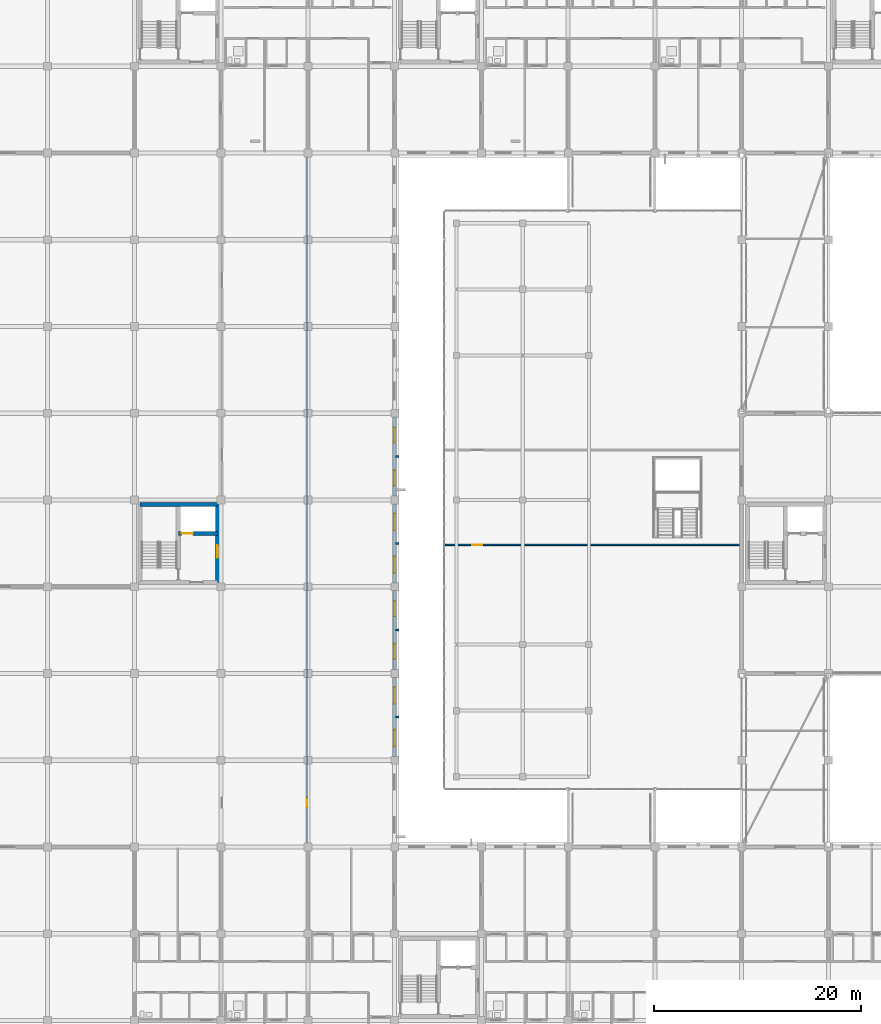
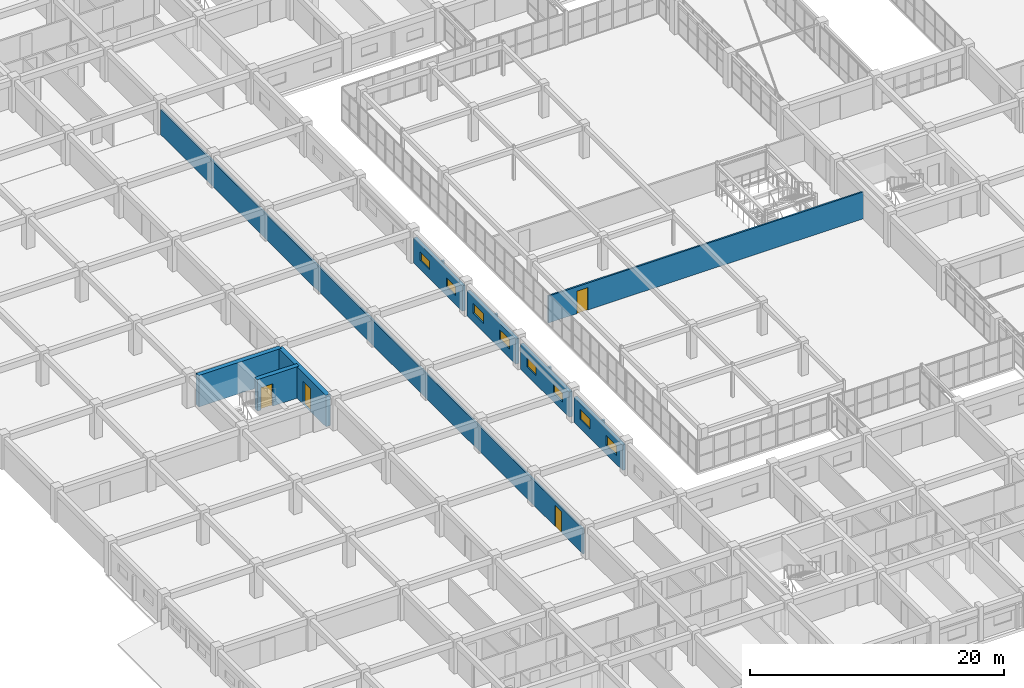
# One storey, part 166 of 200: 13 walls, 8 windows, 4 doors, 12 openings.
"""IFC4 building model written with IfcOpenShell, lengths in metres."""

from ifc_helpers import new_model, si_unit, direction, frame, frame_2d, origin, place, context, subcontext, project, spatial, rectangle, extrude, material, layer, layer_set, type_object, element, fill, save


model = new_model("IFC4")

# Units and contexts
model_context = context("Model", 3, precision=1e-05, world=origin(), true_north=direction((0.0, 1.0)))
body_context = subcontext(model_context, "Body", "Model", "MODEL_VIEW")
ifc_project = project(units=[si_unit("LENGTHUNIT", "METRE"), si_unit("AREAUNIT", "SQUARE_METRE"), si_unit("VOLUMEUNIT", "CUBIC_METRE"), si_unit("PLANEANGLEUNIT", "RADIAN"), si_unit("MASSUNIT", "GRAM", prefix="KILO")], contexts=[model_context])

# Site, building, storey
site_placement = place(None, origin())
site = spatial("IfcSite", under=ifc_project, at=site_placement, CompositionType="ELEMENT")
building_placement = place(site_placement, origin())
building = spatial("IfcBuilding", under=site, at=building_placement, Name="Trelvath General Hospital", CompositionType="ELEMENT")
storey_placement = place(building_placement, frame((0.0, 0.0, 4.800048828125)))
storey = spatial("IfcBuildingStorey", under=building, at=storey_placement, Name="L01", CompositionType="ELEMENT", Elevation=4.800048828125)

# Walls
ifc_material_1 = material(Name="Precast concrete C40/50", Category="concrete")
ifc_layer_1 = layer(ifc_material_1, 0.199951171875)
ifc_layer_set_1 = layer_set([ifc_layer_1], Name="Precast concrete C40/50")
wall_type_1 = type_object("IfcWallType", Name="BriseSoleilRib 200", PredefinedType="ELEMENTEDWALL", material=ifc_layer_set_1)
for number, where, z_axis, x_axis, name in (
    (1, (42.074951171875, 37.800048828125, 0.0), (0.0, 0.0, 1.0), (1.0, 0.0, 0.0), "Precast Concrete Brise-Soleil Rib Fin L01-92"),
    (2, (42.074951171875, 46.199951171875, 0.0), (0.0, 0.0, 1.0), (1.0, 0.0, 0.0), "Precast Concrete Brise-Soleil Rib Fin L01-93"),
    (3, (42.074951171875, 54.60009765625, 0.0), (0.0, 0.0, 1.0), (1.0, 0.0, 0.0), "Precast Concrete Brise-Soleil Rib Fin L01-94"),
    (4, (42.074951171875, 63.0, 0.0), (0.0, 0.0, 1.0), (1.0, 0.0, 0.0), "Precast Concrete Brise-Soleil Rib Fin L01-95"),
):
    element("IfcWall", number, at=place(storey_placement, frame(where, z_axis=z_axis, x_axis=x_axis)), inside=storey, type_object=wall_type_1, Name=name, PredefinedType="ELEMENTEDWALL", context=body_context, shape_type="SweptSolid", body=[
        extrude(rectangle(XDim=0.340087890625, YDim=0.199951171875, at=frame_2d((0.169921875, 0.0))), origin(), (0.0, 0.0, 1.0), 2.39990234375),
    ])

# Wall, opening, door
ifc_material_2 = material(Name="Gypsum acoustic steel-stud partition", Category="steel")
ifc_layer_2 = layer(ifc_material_2, 0.14990234375)
ifc_layer_set_2 = layer_set([ifc_layer_2], Name="Gypsum acoustic steel-stud partition")
wall_type_2 = type_object("IfcWallType", Name="ClinicalPartition 150", PredefinedType="PARTITIONING", material=ifc_layer_set_2)
wall_1_placement = place(storey_placement, frame((33.5, 25.60009765625, 0.0), z_axis=(0.0, 0.0, 1.0), x_axis=(0.0, 1.0, 0.0)))
wall_1 = element("IfcWall", 5, at=wall_1_placement, inside=storey, type_object=wall_type_2, Name="Fan Room Partition L01-668", PredefinedType="PARTITIONING", context=body_context, shape_type="SweptSolid", body=[
    extrude(rectangle(XDim=66.39990234375, YDim=0.14990234375, at=frame_2d((33.199951171875, 0.0))), origin(), (0.0, 0.0, 1.0), 2.39990234375),
])
opening_1_placement = place(wall_1_placement, frame((3.39990234375, 0.0, 0.0)))
opening_1 = element("IfcOpeningElement", 6, at=opening_1_placement, cuts=wall_1, Name="Opening D-1-0618", PredefinedType="OPENING", context=body_context, shape_type="SweptSolid", body=[
    extrude(rectangle(XDim=0.97998046875, YDim=2.050048828125, at=frame_2d((0.489990234375, 1.02490234375))), frame((0.0, 0.0849609375, 0.0), z_axis=(0.0, -1.0, 0.0), x_axis=(1.0, 0.0, 0.0)), (0.0, 0.0, 1.0), 0.169921875),
])
ifc_material_3 = material(Name="Fire-rated steel service door", Category="steel")
door_type_1 = type_object("IfcDoorType", Name="Door Interstitial 980x2050", OperationType="NOTDEFINED", PredefinedType="DOOR", material=ifc_material_3)
door_1_placement = place(opening_1_placement, origin())
door_1 = element("IfcDoor", 7, at=door_1_placement, inside=storey, type_object=door_type_1, Name="Fan Room Door L01-618", OperationType="SINGLE_SWING_RIGHT", OverallHeight=2.050048828125, OverallWidth=0.97998046875, PredefinedType="DOOR", context=body_context, shape_type="SweptSolid", body=[
    extrude(rectangle(XDim=0.97998046875, YDim=2.050048828125, at=frame_2d((0.489990234375, 1.02490234375))), frame((0.0, 0.02490234375, 0.0), z_axis=(0.0, -1.0, 0.0), x_axis=(1.0, 0.0, 0.0)), (0.0, 0.0, 1.0), 0.050048828125),
])
fill(opening_1, door_1)

wall_2_placement = place(storey_placement, frame((46.89990234375, 54.449951171875, 0.0), z_axis=(0.0, 0.0, 1.0), x_axis=(1.0, 0.0, 0.0)))
wall_2 = element("IfcWall", 8, at=wall_2_placement, inside=storey, type_object=wall_type_2, Name="Cube Clinic CUBE-W Partition L01-672", PredefinedType="PARTITIONING", context=body_context, shape_type="SweptSolid", body=[
    extrude(rectangle(XDim=28.60009765625, YDim=0.14990234375, at=frame_2d((14.300048828125, 0.0))), origin(), (0.0, 0.0, 1.0), 2.58984375),
])
opening_2_placement = place(wall_2_placement, frame((2.60009765625, 0.0, 0.0)))
opening_2 = element("IfcOpeningElement", 9, at=opening_2_placement, cuts=wall_2, Name="Opening DC-1-0622", PredefinedType="OPENING", context=body_context, shape_type="SweptSolid", body=[
    extrude(rectangle(XDim=1.0, YDim=2.14990234375, at=frame_2d((0.5, 1.074951171875))), frame((0.0, 0.0849609375, 0.0), z_axis=(0.0, -1.0, 0.0), x_axis=(1.0, 0.0, 0.0)), (0.0, 0.0, 1.0), 0.169921875),
])
ifc_material_4 = material(Name="Acoustic hospital timber leaf", Category="wood")
door_type_2 = type_object("IfcDoorType", Name="Door Consult 1000x2150", OperationType="NOTDEFINED", PredefinedType="DOOR", material=ifc_material_4)
door_2_placement = place(opening_2_placement, origin())
door_2 = element("IfcDoor", 10, at=door_2_placement, inside=storey, type_object=door_type_2, Name="Cube Clinic CUBE-W Door L01-622", OperationType="SINGLE_SWING_RIGHT", OverallHeight=2.14990234375, OverallWidth=1.0, PredefinedType="DOOR", context=body_context, shape_type="SweptSolid", body=[
    extrude(rectangle(XDim=1.0, YDim=2.14990234375, at=frame_2d((0.5, 1.074951171875))), frame((0.0, 0.02490234375, 0.0), z_axis=(0.0, -1.0, 0.0), x_axis=(1.0, 0.0, 0.0)), (0.0, 0.0, 1.0), 0.050048828125),
])
fill(opening_2, door_2)

# Wall
ifc_material_5 = material(Name="Concrete C40/50", Category="concrete")
ifc_layer_3 = layer(ifc_material_5, 0.39990234375)
ifc_layer_set_3 = layer_set([ifc_layer_3], Name="Concrete C40/50")
wall_type_3 = type_object("IfcWallType", Name="CoreShearWall 400", PredefinedType="SHEAR", material=ifc_layer_set_3)
wall_3_placement = place(storey_placement, frame((17.35009765625, 58.35009765625, 0.0), z_axis=(0.0, 0.0, 1.0), x_axis=(1.0, 0.0, 0.0)))
element("IfcWall", 11, at=wall_3_placement, inside=storey, type_object=wall_type_3, Name="Core Shear Wall C8 N L01", PredefinedType="SHEAR", context=body_context, shape_type="SweptSolid", body=[
    extrude(rectangle(XDim=7.5, YDim=0.39990234375, at=frame_2d((3.75, 0.0))), origin(), (0.0, 0.0, 1.0), 3.02001953125),
])

# Wall, opening, door
wall_4_placement = place(storey_placement, frame((24.85009765625, 50.800048828125, 0.0), z_axis=(0.0, 0.0, 1.0), x_axis=(0.0, 1.0, 0.0)))
wall_4 = element("IfcWall", 12, at=wall_4_placement, inside=storey, type_object=wall_type_3, Name="Core Shear Wall C8 E L01", PredefinedType="SHEAR", context=body_context, shape_type="SweptSolid", body=[
    extrude(rectangle(XDim=7.550048828125, YDim=0.39990234375, at=frame_2d((3.77490234375, 0.0))), origin(), (0.0, 0.0, 1.0), 3.02001953125),
])
opening_3_placement = place(wall_4_placement, frame((2.39990234375, 0.0, 0.0)))
opening_3 = element("IfcOpeningElement", 13, at=opening_3_placement, cuts=wall_4, Name="Opening FD-LE81", PredefinedType="OPENING", context=body_context, shape_type="SweptSolid", body=[
    extrude(rectangle(XDim=1.199951171875, YDim=2.199951171875, at=frame_2d((0.60009765625, 1.10009765625))), frame((0.0, 0.2099609375, 0.0), z_axis=(0.0, -1.0, 0.0), x_axis=(1.0, 0.0, 0.0)), (0.0, 0.0, 1.0), 0.419921875),
])
ifc_material_6 = material(Name="Fire-rated steel door", Category="steel")
door_type_3 = type_object("IfcDoorType", Name="Door FireLobby 1200x2200", OperationType="NOTDEFINED", PredefinedType="DOOR", material=ifc_material_6)
door_3_placement = place(opening_3_placement, origin())
door_3 = element("IfcDoor", 14, at=door_3_placement, inside=storey, type_object=door_type_3, Name="Fire Lobby East Corridor Door C8 L01", OperationType="SINGLE_SWING_LEFT", OverallHeight=2.199951171875, OverallWidth=1.199951171875, PredefinedType="DOOR", context=body_context, shape_type="SweptSolid", body=[
    extrude(rectangle(XDim=1.199951171875, YDim=2.199951171875, at=frame_2d((0.60009765625, 1.10009765625))), frame((0.0, 0.02490234375, 0.0), z_axis=(0.0, -1.0, 0.0), x_axis=(1.0, 0.0, 0.0)), (0.0, 0.0, 1.0), 0.050048828125),
])
fill(opening_3, door_3)

wall_5_placement = place(storey_placement, frame((21.050048828125, 55.550048828125, 0.0), z_axis=(0.0, 0.0, 1.0), x_axis=(1.0, 0.0, 0.0)))
wall_5 = element("IfcWall", 15, at=wall_5_placement, inside=storey, type_object=wall_type_3, Name="Core Shear Wall C8 SHAFT L01", PredefinedType="SHEAR", context=body_context, shape_type="SweptSolid", body=[
    extrude(rectangle(XDim=3.800048828125, YDim=0.39990234375, at=frame_2d((1.89990234375, 0.0))), origin(), (0.0, 0.0, 1.0), 3.02001953125),
])
opening_4_placement = place(wall_5_placement, frame((0.320068359375, 0.0, 0.0)))
opening_4 = element("IfcOpeningElement", 16, at=opening_4_placement, cuts=wall_5, Name="Opening LD-SL1-1", PredefinedType="OPENING", context=body_context, shape_type="SweptSolid", body=[
    extrude(rectangle(XDim=1.10009765625, YDim=2.14990234375, at=frame_2d((0.550048828125, 1.074951171875))), frame((0.0, 0.2099609375, 0.0), z_axis=(0.0, -1.0, 0.0), x_axis=(1.0, 0.0, 0.0)), (0.0, 0.0, 1.0), 0.419921875),
])
ifc_material_7 = material(Name="Stainless steel lift landing sliding door", Category="steel")
door_type_4 = type_object("IfcDoorType", Name="Door LiftLanding 1100x2150", OperationType="SLIDING_TO_LEFT", PredefinedType="DOOR", material=ifc_material_7)
door_4_placement = place(opening_4_placement, origin())
door_4 = element("IfcDoor", 17, at=door_4_placement, inside=storey, type_object=door_type_4, Name="Lift Landing Sliding Door LF-SL1 L01", OperationType="SLIDING_TO_LEFT", OverallHeight=2.14990234375, OverallWidth=1.10009765625, PredefinedType="DOOR", context=body_context, shape_type="SweptSolid", body=[
    extrude(rectangle(XDim=1.10009765625, YDim=2.14990234375, at=frame_2d((0.550048828125, 1.074951171875))), frame((0.0, 0.02490234375, 0.0), z_axis=(0.0, -1.0, 0.0), x_axis=(1.0, 0.0, 0.0)), (0.0, 0.0, 1.0), 0.050048828125),
])
fill(opening_4, door_4)

# Wall, openings, windows
ifc_material_8 = material(Name="Concrete C35/45", Category="concrete")
ifc_layer_4 = layer(ifc_material_8, 0.2900390625)
ifc_layer_set_4 = layer_set([ifc_layer_4], Name="Concrete C35/45")
wall_type_4 = type_object("IfcWallType", Name="ExtBushHammeredWall 290", PredefinedType="SOLIDWALL", material=ifc_layer_set_4)
wall_6_placement = place(storey_placement, frame((42.0, 41.6298828125, 0.0), z_axis=(0.0, 0.0, 1.0), x_axis=(0.0, -1.0, 0.0)))
wall_6 = element("IfcWall", 18, at=wall_6_placement, inside=storey, type_object=wall_type_4, Name="Exterior Concrete Wall L01-132", PredefinedType="SOLIDWALL", context=body_context, shape_type="SweptSolid", body=[
    extrude(rectangle(XDim=7.659912109375, YDim=0.2900390625, at=frame_2d((3.830078125, 0.0))), origin(), (0.0, 0.0, 1.0), 2.419921875),
])
opening_5_placement = place(wall_6_placement, frame((0.951904296875, 0.0, 0.85009765625)))
opening_5 = element("IfcOpeningElement", 19, at=opening_5_placement, cuts=wall_6, Name="Opening WN-1-193", PredefinedType="OPENING", context=body_context, shape_type="SweptSolid", body=[
    extrude(rectangle(XDim=1.6201171875, YDim=0.949951171875, at=frame_2d((0.81005859375, 0.47509765625))), frame((0.0, 0.155029296875, 0.0), z_axis=(0.0, -1.0, 0.0), x_axis=(1.0, 0.0, 0.0)), (0.0, 0.0, 1.0), 0.31005859375),
])
opening_6_placement = place(wall_6_placement, frame((5.088134765625, 0.0, 0.85009765625)))
opening_6 = element("IfcOpeningElement", 20, at=opening_6_placement, cuts=wall_6, Name="Opening WN-1-194", PredefinedType="OPENING", context=body_context, shape_type="SweptSolid", body=[
    extrude(rectangle(XDim=1.6201171875, YDim=0.949951171875, at=frame_2d((0.81005859375, 0.47509765625))), frame((0.0, 0.155029296875, 0.0), z_axis=(0.0, -1.0, 0.0), x_axis=(1.0, 0.0, 0.0)), (0.0, 0.0, 1.0), 0.31005859375),
])
ifc_material_9 = material(Name="Low-E laminated glass", Category="glass")
window_type_1 = type_object("IfcWindowType", Name="Window EmergencyClere 1620x950", PartitioningType="DOUBLE_PANEL_VERTICAL", PredefinedType="WINDOW", material=ifc_material_9)
window_1_placement = place(opening_5_placement, origin())
window_1 = element("IfcWindow", 21, at=window_1_placement, inside=storey, type_object=window_type_1, Name="Solar Reveal Window L01-193", OverallHeight=0.949951171875, OverallWidth=1.6201171875, PartitioningType="SINGLE_PANEL", PredefinedType="WINDOW", context=body_context, shape_type="SweptSolid", body=[
    extrude(rectangle(XDim=1.6201171875, YDim=0.949951171875, at=frame_2d((0.81005859375, 0.47509765625))), frame((0.0, 0.030029296875, 0.0), z_axis=(0.0, -1.0, 0.0), x_axis=(1.0, 0.0, 0.0)), (0.0, 0.0, 1.0), 0.06005859375),
])
fill(opening_5, window_1)
window_2_placement = place(opening_6_placement, origin())
window_2 = element("IfcWindow", 22, at=window_2_placement, inside=storey, type_object=window_type_1, Name="Solar Reveal Window L01-194", OverallHeight=0.949951171875, OverallWidth=1.6201171875, PartitioningType="SINGLE_PANEL", PredefinedType="WINDOW", context=body_context, shape_type="SweptSolid", body=[
    extrude(rectangle(XDim=1.6201171875, YDim=0.949951171875, at=frame_2d((0.81005859375, 0.47509765625))), frame((0.0, 0.030029296875, 0.0), z_axis=(0.0, -1.0, 0.0), x_axis=(1.0, 0.0, 0.0)), (0.0, 0.0, 1.0), 0.06005859375),
])
fill(opening_6, window_2)

wall_7_placement = place(storey_placement, frame((42.0, 50.030029296875, 0.0), z_axis=(0.0, 0.0, 1.0), x_axis=(0.0, -1.0, 0.0)))
wall_7 = element("IfcWall", 23, at=wall_7_placement, inside=storey, type_object=wall_type_4, Name="Exterior Concrete Wall L01-133", PredefinedType="SOLIDWALL", context=body_context, shape_type="SweptSolid", body=[
    extrude(rectangle(XDim=7.659912109375, YDim=0.2900390625, at=frame_2d((3.830078125, 0.0))), origin(), (0.0, 0.0, 1.0), 2.419921875),
])
opening_7_placement = place(wall_7_placement, frame((1.03173828125, 0.0, 0.85009765625)))
opening_7 = element("IfcOpeningElement", 24, at=opening_7_placement, cuts=wall_7, Name="Opening WN-1-195", PredefinedType="OPENING", context=body_context, shape_type="SweptSolid", body=[
    extrude(rectangle(XDim=1.4599609375, YDim=0.85009765625, at=frame_2d((0.72998046875, 0.425048828125))), frame((0.0, 0.155029296875, 0.0), z_axis=(0.0, -1.0, 0.0), x_axis=(1.0, 0.0, 0.0)), (0.0, 0.0, 1.0), 0.31005859375),
])
opening_8_placement = place(wall_7_placement, frame((5.168212890625, 0.0, 0.85009765625)))
opening_8 = element("IfcOpeningElement", 25, at=opening_8_placement, cuts=wall_7, Name="Opening WN-1-196", PredefinedType="OPENING", context=body_context, shape_type="SweptSolid", body=[
    extrude(rectangle(XDim=1.4599609375, YDim=0.85009765625, at=frame_2d((0.72998046875, 0.425048828125))), frame((0.0, 0.155029296875, 0.0), z_axis=(0.0, -1.0, 0.0), x_axis=(1.0, 0.0, 0.0)), (0.0, 0.0, 1.0), 0.31005859375),
])
ifc_material_10 = material(Name="Low-E laminated glass", Category="glass")
window_type_2 = type_object("IfcWindowType", Name="Window ImagingClere 1460x850", PartitioningType="DOUBLE_PANEL_VERTICAL", PredefinedType="WINDOW", material=ifc_material_10)
window_3_placement = place(opening_7_placement, origin())
window_3 = element("IfcWindow", 26, at=window_3_placement, inside=storey, type_object=window_type_2, Name="Solar Reveal Window L01-195", OverallHeight=0.85009765625, OverallWidth=1.4599609375, PartitioningType="SINGLE_PANEL", PredefinedType="WINDOW", context=body_context, shape_type="SweptSolid", body=[
    extrude(rectangle(XDim=1.4599609375, YDim=0.85009765625, at=frame_2d((0.72998046875, 0.425048828125))), frame((0.0, 0.030029296875, 0.0), z_axis=(0.0, -1.0, 0.0), x_axis=(1.0, 0.0, 0.0)), (0.0, 0.0, 1.0), 0.06005859375),
])
fill(opening_7, window_3)
window_4_placement = place(opening_8_placement, origin())
window_4 = element("IfcWindow", 27, at=window_4_placement, inside=storey, type_object=window_type_2, Name="Solar Reveal Window L01-196", OverallHeight=0.85009765625, OverallWidth=1.4599609375, PartitioningType="SINGLE_PANEL", PredefinedType="WINDOW", context=body_context, shape_type="SweptSolid", body=[
    extrude(rectangle(XDim=1.4599609375, YDim=0.85009765625, at=frame_2d((0.72998046875, 0.425048828125))), frame((0.0, 0.030029296875, 0.0), z_axis=(0.0, -1.0, 0.0), x_axis=(1.0, 0.0, 0.0)), (0.0, 0.0, 1.0), 0.06005859375),
])
fill(opening_8, window_4)

wall_8_placement = place(storey_placement, frame((42.0, 58.429931640625, 0.0), z_axis=(0.0, 0.0, 1.0), x_axis=(0.0, -1.0, 0.0)))
wall_8 = element("IfcWall", 28, at=wall_8_placement, inside=storey, type_object=wall_type_4, Name="Exterior Concrete Wall L01-134", PredefinedType="SOLIDWALL", context=body_context, shape_type="SweptSolid", body=[
    extrude(rectangle(XDim=7.659912109375, YDim=0.2900390625, at=frame_2d((3.830078125, 0.0))), origin(), (0.0, 0.0, 1.0), 2.419921875),
])
opening_9_placement = place(wall_8_placement, frame((0.951904296875, 0.0, 0.85009765625)))
opening_9 = element("IfcOpeningElement", 29, at=opening_9_placement, cuts=wall_8, Name="Opening WN-1-197", PredefinedType="OPENING", context=body_context, shape_type="SweptSolid", body=[
    extrude(rectangle(XDim=1.6201171875, YDim=0.949951171875, at=frame_2d((0.81005859375, 0.47509765625))), frame((0.0, 0.155029296875, 0.0), z_axis=(0.0, -1.0, 0.0), x_axis=(1.0, 0.0, 0.0)), (0.0, 0.0, 1.0), 0.31005859375),
])
opening_10_placement = place(wall_8_placement, frame((5.088134765625, 0.0, 0.85009765625)))
opening_10 = element("IfcOpeningElement", 30, at=opening_10_placement, cuts=wall_8, Name="Opening WN-1-198", PredefinedType="OPENING", context=body_context, shape_type="SweptSolid", body=[
    extrude(rectangle(XDim=1.6201171875, YDim=0.949951171875, at=frame_2d((0.81005859375, 0.47509765625))), frame((0.0, 0.155029296875, 0.0), z_axis=(0.0, -1.0, 0.0), x_axis=(1.0, 0.0, 0.0)), (0.0, 0.0, 1.0), 0.31005859375),
])
window_5_placement = place(opening_9_placement, origin())
window_5 = element("IfcWindow", 31, at=window_5_placement, inside=storey, type_object=window_type_1, Name="Solar Reveal Window L01-197", OverallHeight=0.949951171875, OverallWidth=1.6201171875, PartitioningType="SINGLE_PANEL", PredefinedType="WINDOW", context=body_context, shape_type="SweptSolid", body=[
    extrude(rectangle(XDim=1.6201171875, YDim=0.949951171875, at=frame_2d((0.81005859375, 0.47509765625))), frame((0.0, 0.030029296875, 0.0), z_axis=(0.0, -1.0, 0.0), x_axis=(1.0, 0.0, 0.0)), (0.0, 0.0, 1.0), 0.06005859375),
])
fill(opening_9, window_5)
window_6_placement = place(opening_10_placement, origin())
window_6 = element("IfcWindow", 32, at=window_6_placement, inside=storey, type_object=window_type_1, Name="Solar Reveal Window L01-198", OverallHeight=0.949951171875, OverallWidth=1.6201171875, PartitioningType="SINGLE_PANEL", PredefinedType="WINDOW", context=body_context, shape_type="SweptSolid", body=[
    extrude(rectangle(XDim=1.6201171875, YDim=0.949951171875, at=frame_2d((0.81005859375, 0.47509765625))), frame((0.0, 0.030029296875, 0.0), z_axis=(0.0, -1.0, 0.0), x_axis=(1.0, 0.0, 0.0)), (0.0, 0.0, 1.0), 0.06005859375),
])
fill(opening_10, window_6)

wall_9_placement = place(storey_placement, frame((42.0, 66.830078125, 0.0), z_axis=(0.0, 0.0, 1.0), x_axis=(0.0, -1.0, 0.0)))
wall_9 = element("IfcWall", 33, at=wall_9_placement, inside=storey, type_object=wall_type_4, Name="Exterior Concrete Wall L01-135", PredefinedType="SOLIDWALL", context=body_context, shape_type="SweptSolid", body=[
    extrude(rectangle(XDim=7.66015625, YDim=0.2900390625, at=frame_2d((3.830078125, 0.0))), origin(), (0.0, 0.0, 1.0), 2.419921875),
])
opening_11_placement = place(wall_9_placement, frame((1.03173828125, 0.0, 0.85009765625)))
opening_11 = element("IfcOpeningElement", 34, at=opening_11_placement, cuts=wall_9, Name="Opening WN-1-199", PredefinedType="OPENING", context=body_context, shape_type="SweptSolid", body=[
    extrude(rectangle(XDim=1.4599609375, YDim=0.85009765625, at=frame_2d((0.72998046875, 0.425048828125))), frame((0.0, 0.155029296875, 0.0), z_axis=(0.0, -1.0, 0.0), x_axis=(1.0, 0.0, 0.0)), (0.0, 0.0, 1.0), 0.31005859375),
])
opening_12_placement = place(wall_9_placement, frame((5.168212890625, 0.0, 0.85009765625)))
opening_12 = element("IfcOpeningElement", 35, at=opening_12_placement, cuts=wall_9, Name="Opening WN-1-200", PredefinedType="OPENING", context=body_context, shape_type="SweptSolid", body=[
    extrude(rectangle(XDim=1.4599609375, YDim=0.85009765625, at=frame_2d((0.72998046875, 0.425048828125))), frame((0.0, 0.155029296875, 0.0), z_axis=(0.0, -1.0, 0.0), x_axis=(1.0, 0.0, 0.0)), (0.0, 0.0, 1.0), 0.31005859375),
])
window_7_placement = place(opening_11_placement, origin())
window_7 = element("IfcWindow", 36, at=window_7_placement, inside=storey, type_object=window_type_2, Name="Solar Reveal Window L01-199", OverallHeight=0.85009765625, OverallWidth=1.4599609375, PartitioningType="SINGLE_PANEL", PredefinedType="WINDOW", context=body_context, shape_type="SweptSolid", body=[
    extrude(rectangle(XDim=1.4599609375, YDim=0.85009765625, at=frame_2d((0.72998046875, 0.425048828125))), frame((0.0, 0.030029296875, 0.0), z_axis=(0.0, -1.0, 0.0), x_axis=(1.0, 0.0, 0.0)), (0.0, 0.0, 1.0), 0.06005859375),
])
fill(opening_11, window_7)
window_8_placement = place(opening_12_placement, origin())
window_8 = element("IfcWindow", 37, at=window_8_placement, inside=storey, type_object=window_type_2, Name="Solar Reveal Window L01-200", OverallHeight=0.85009765625, OverallWidth=1.4599609375, PartitioningType="SINGLE_PANEL", PredefinedType="WINDOW", context=body_context, shape_type="SweptSolid", body=[
    extrude(rectangle(XDim=1.4599609375, YDim=0.85009765625, at=frame_2d((0.72998046875, 0.425048828125))), frame((0.0, 0.030029296875, 0.0), z_axis=(0.0, -1.0, 0.0), x_axis=(1.0, 0.0, 0.0)), (0.0, 0.0, 1.0), 0.06005859375),
])
fill(opening_12, window_8)

save(model, "model.ifc")
